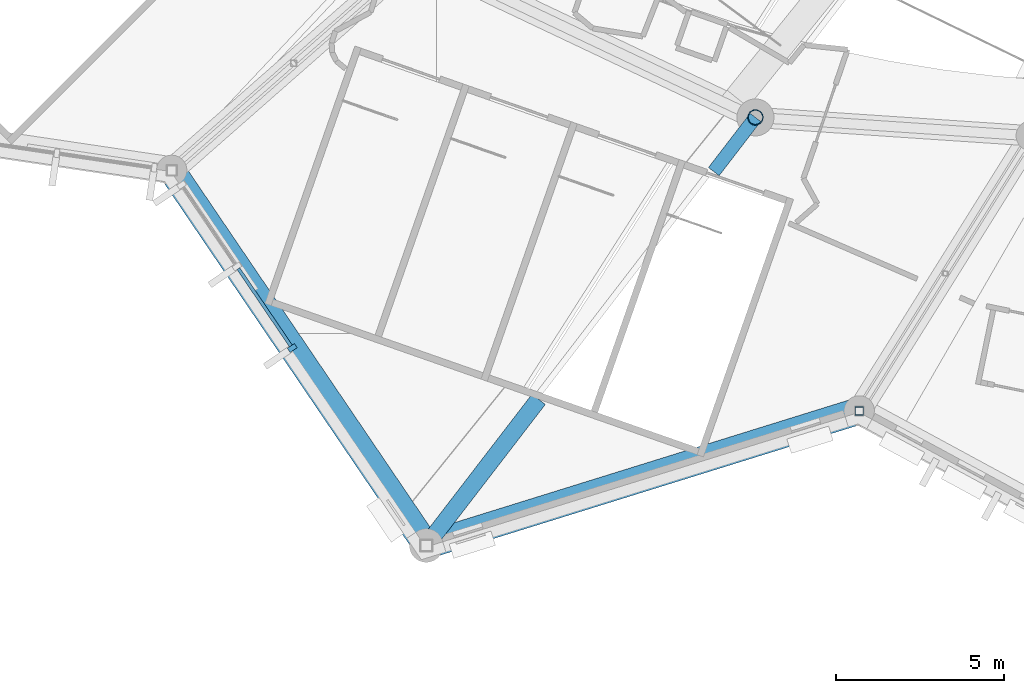
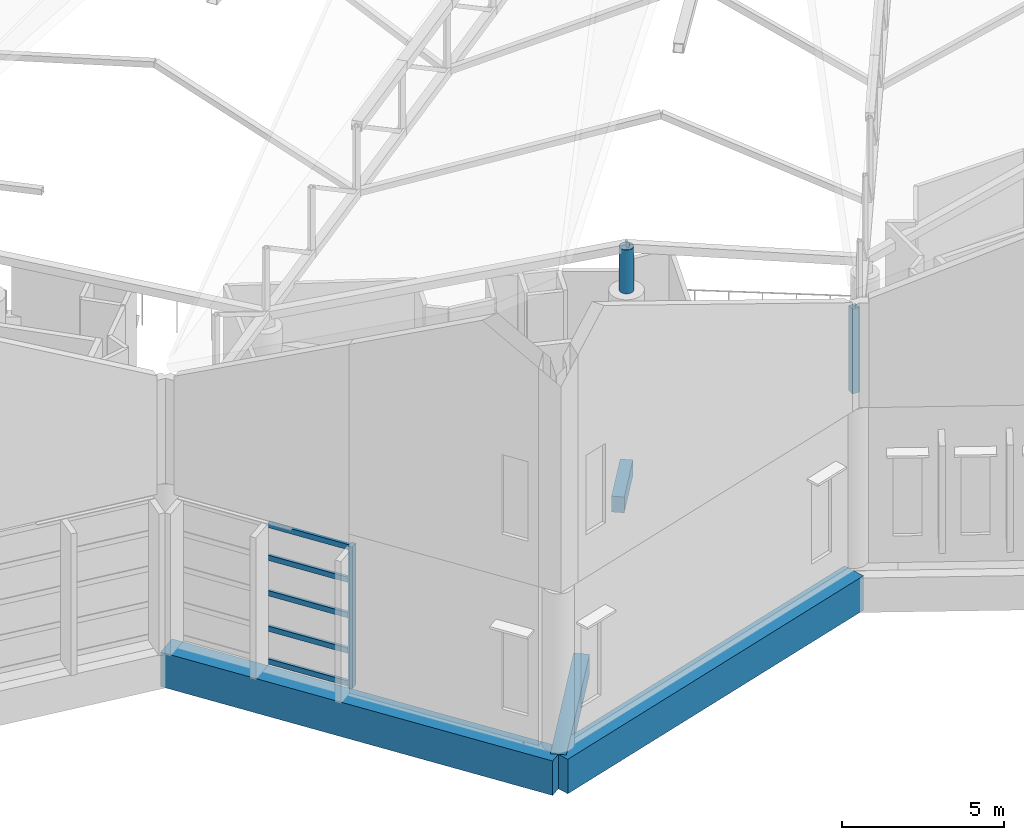
# One storey, part 4 of 344: 8 members, 4 beams, 1 element without a shape of its own.
"""IFC4 building model written with IfcOpenShell, lengths in metres."""

from ifc_helpers import new_model, si_unit, direction, frame, origin, origin_2d, place, context, subcontext, project, spatial, rectangle, hollow_rectangle, hollow_circle, extrude, material, layer, layer_set, material_profile, profile_set, type_object, element, aggregate, save


model = new_model("IFC4")

# Units and contexts
model_context = context("Model", 3, precision=1e-05, world=origin(), true_north=direction((0.0, 1.0)))
body_context = subcontext(model_context, "Body", "Model", "MODEL_VIEW")
ifc_project = project(units=[si_unit("LENGTHUNIT", "METRE"), si_unit("AREAUNIT", "SQUARE_METRE"), si_unit("VOLUMEUNIT", "CUBIC_METRE"), si_unit("PLANEANGLEUNIT", "RADIAN"), si_unit("MASSUNIT", "GRAM", prefix="KILO")], contexts=[model_context])

# Site, building, storey
site_placement = place(None, origin())
site = spatial("IfcSite", under=ifc_project, at=site_placement, CompositionType="ELEMENT")
building_placement = place(site_placement, origin())
building = spatial("IfcBuilding", under=site, at=building_placement, Name="Meseta Stadium", CompositionType="ELEMENT")
storey_placement = place(building_placement, frame((0.0, 0.0, 24.0)))
storey = spatial("IfcBuildingStorey", under=building, at=storey_placement, Name="L04", CompositionType="ELEMENT", Elevation=24.0)

# Member
ifc_material_1 = material(Name="Steel S355", Category="steel")
ifc_material_profile_1 = material_profile(ifc_material_1, hollow_circle(Radius=0.228515625, WallThickness=0.01611328125, at=origin_2d()), Name="CHS 457x16")
ifc_profile_set_1 = profile_set([ifc_material_profile_1], Name="Steel S355")
member_type_1 = type_object("IfcMemberType", Name="CHS 457x16 pedestal", PredefinedType="POST", material=ifc_profile_set_1)
member_1_placement = place(storey_placement, frame((-54.523193359375, -89.579345703125, 6.0), z_axis=(0.0, 0.0, 1.0), x_axis=(1.0, 0.0, 0.0)))
element("IfcMember", 1, at=member_1_placement, inside=storey, type_object=member_type_1, Name="ROOF TRUSS RT-42 pedestal", PredefinedType="POST", context=body_context, shape_type="SweptSolid", body=[
    extrude(hollow_circle(Radius=0.228515625, WallThickness=0.01611328125, at=origin_2d()), origin(), (0.0, 0.0, 1.0), 1.65380859375),
])

# Curtain wall, members
ifc_material_2 = material(Name="Steel S355", Category="steel")
ifc_layer = layer(ifc_material_2, 0.300048828125)
ifc_layer_set = layer_set([ifc_layer], Name="Valley atrium curtain wall")
curtain_wall_type = type_object("IfcCurtainWallType", Name="Valley atrium curtain wall", PredefinedType="NOTDEFINED", material=ifc_layer_set)
curtain_wall_placement = place(storey_placement, origin())
curtain_wall = element("IfcCurtainWall", 2, at=curtain_wall_placement, inside=storey, type_object=curtain_wall_type, Name="Valley atrium glazing F41", PredefinedType="NOTDEFINED")
ifc_material_3 = material(Name="Steel S355", Category="steel")
ifc_material_profile_2 = material_profile(ifc_material_3, rectangle(XDim=0.25, YDim=0.14990234375, at=origin_2d()), Name="CW 250x150")
ifc_profile_set_2 = profile_set([ifc_material_profile_2], Name="Steel S355")
member_type_2 = type_object("IfcMemberType", Name="CW mullion bar 250x150", PredefinedType="MULLION", material=ifc_profile_set_2)
member_2_placement = place(storey_placement, frame((-68.27734375, -96.42578125, 0.0), z_axis=(0.0, 0.0, 1.0), x_axis=(0.827483291834, 0.561490339842, 0.0)))
member_2 = element("IfcMember", 3, at=member_2_placement, type_object=member_type_2, Name="CWA mullion 3", PredefinedType="MULLION", context=body_context, shape_type="SweptSolid", body=[
    extrude(rectangle(XDim=0.25, YDim=0.14990234375, at=origin_2d()), origin(), (0.0, 0.0, 1.0), 5.35009765625),
])
ifc_material_4 = material(Name="Steel S355", Category="steel")
ifc_material_profile_3 = material_profile(ifc_material_4, hollow_rectangle(XDim=0.10009765625, YDim=0.199951171875, WallThickness=0.008056640625, at=origin_2d()), Name="RHS 200x100x8")
ifc_profile_set_3 = profile_set([ifc_material_profile_3], Name="Steel S355")
member_type_3 = type_object("IfcMemberType", Name="CW transom RHS 200x100x8", PredefinedType="USERDEFINED", material=ifc_profile_set_3)
member_3_placement = place(storey_placement, frame((-69.877685546875, -94.067626953125, 0.10009765625), z_axis=(0.561563808152, -0.827433435011, 0.0), x_axis=(0.827433435011, 0.561563808152, 0.0)))
member_3 = element("IfcMember", 4, at=member_3_placement, type_object=member_type_3, Name="CWA transom 2.1", ObjectType="TRANSOM", PredefinedType="USERDEFINED", context=body_context, shape_type="SweptSolid", body=[
    extrude(hollow_rectangle(XDim=0.10009765625, YDim=0.199951171875, WallThickness=0.008056640625, at=origin_2d()), origin(), (0.0, 0.0, 1.0), 2.77490234375),
])
member_4_placement = place(storey_placement, frame((-69.877685546875, -94.067626953125, 1.33740234375), z_axis=(0.561563808152, -0.827433435011, 0.0), x_axis=(0.827433435011, 0.561563808152, 0.0)))
member_4 = element("IfcMember", 5, at=member_4_placement, type_object=member_type_3, Name="CWA transom 2.2", ObjectType="TRANSOM", PredefinedType="USERDEFINED", context=body_context, shape_type="SweptSolid", body=[
    extrude(hollow_rectangle(XDim=0.10009765625, YDim=0.199951171875, WallThickness=0.008056640625, at=origin_2d()), origin(), (0.0, 0.0, 1.0), 2.77490234375),
])
member_5_placement = place(storey_placement, frame((-69.877685546875, -94.067626953125, 2.675048828125), z_axis=(0.561563808152, -0.827433435011, 0.0), x_axis=(0.827433435011, 0.561563808152, 0.0)))
member_5 = element("IfcMember", 6, at=member_5_placement, type_object=member_type_3, Name="CWA transom 2.3", ObjectType="TRANSOM", PredefinedType="USERDEFINED", context=body_context, shape_type="SweptSolid", body=[
    extrude(hollow_rectangle(XDim=0.10009765625, YDim=0.199951171875, WallThickness=0.008056640625, at=origin_2d()), origin(), (0.0, 0.0, 1.0), 2.77490234375),
])
member_6_placement = place(storey_placement, frame((-69.877685546875, -94.067626953125, 4.012451171875), z_axis=(0.561563808152, -0.827433435011, 0.0), x_axis=(0.827433435011, 0.561563808152, 0.0)))
member_6 = element("IfcMember", 7, at=member_6_placement, type_object=member_type_3, Name="CWA transom 2.4", ObjectType="TRANSOM", PredefinedType="USERDEFINED", context=body_context, shape_type="SweptSolid", body=[
    extrude(hollow_rectangle(XDim=0.10009765625, YDim=0.199951171875, WallThickness=0.008056640625, at=origin_2d()), origin(), (0.0, 0.0, 1.0), 2.77490234375),
])
member_7_placement = place(storey_placement, frame((-69.877685546875, -94.067626953125, 5.25), z_axis=(0.561563808152, -0.827433435011, 0.0), x_axis=(0.827433435011, 0.561563808152, 0.0)))
member_7 = element("IfcMember", 8, at=member_7_placement, type_object=member_type_3, Name="CWA transom 2.5", ObjectType="TRANSOM", PredefinedType="USERDEFINED", context=body_context, shape_type="SweptSolid", body=[
    extrude(hollow_rectangle(XDim=0.10009765625, YDim=0.199951171875, WallThickness=0.008056640625, at=origin_2d()), origin(), (0.0, 0.0, 1.0), 2.77490234375),
])
aggregate(curtain_wall, [member_2, member_3, member_4, member_5, member_6, member_7])

# Beams
ifc_material_5 = material(Name="Concrete C40/50", Category="concrete")
ifc_material_profile_4 = material_profile(ifc_material_5, rectangle(XDim=0.39990234375, YDim=0.60009765625, at=origin_2d()), Name="RC 400x600")
ifc_profile_set_4 = profile_set([ifc_material_profile_4], Name="Concrete C40/50")
beam_type_1 = type_object("IfcBeamType", Name="RC beam 400x600", PredefinedType="BEAM", material=ifc_profile_set_4)
beam_1_placement = place(storey_placement, frame((-54.523193359375, -89.579345703125, -0.699951171875), z_axis=(-0.60958282029, -0.792722388486, 0.0), x_axis=(0.792722388486, -0.60958282029, 0.0)))
element("IfcBeam", 9, at=beam_1_placement, inside=storey, type_object=beam_type_1, Name="L04 radial beam frame 42 line P to R", PredefinedType="BEAM", context=body_context, shape_type="SweptSolid", body=[
    extrude(rectangle(XDim=0.39990234375, YDim=0.60009765625, at=origin_2d()), origin(), (0.0, 0.0, 1.0), 2.029052734375),
])
ifc_material_6 = material(Name="Concrete C40/50", Category="concrete")
ifc_material_profile_5 = material_profile(ifc_material_6, rectangle(XDim=0.5, YDim=0.75, at=origin_2d()), Name="RC 500x750")
ifc_profile_set_5 = profile_set([ifc_material_profile_5], Name="Concrete C40/50")
beam_type_2 = type_object("IfcBeamType", Name="RC beam 500x750", PredefinedType="BEAM", material=ifc_profile_set_5)
beam_2_placement = place(storey_placement, frame((-60.95947265625, -97.949951171875, -0.77490234375), z_axis=(-0.609579324643, -0.792725076536, 0.0), x_axis=(0.792725076536, -0.609579324643, 0.0)))
element("IfcBeam", 10, at=beam_2_placement, inside=storey, type_object=beam_type_2, Name="L04 radial beam frame 42 line P to R", PredefinedType="BEAM", context=body_context, shape_type="SweptSolid", body=[
    extrude(rectangle(XDim=0.5, YDim=0.75, at=origin_2d()), origin(), (0.0, 0.0, 1.0), 5.47607421875),
])
ifc_material_7 = material(Name="Concrete C40/50", Category="concrete")
ifc_material_profile_6 = material_profile(ifc_material_7, rectangle(XDim=0.800048828125, YDim=1.300048828125, at=origin_2d()), Name="RC 800x1300")
ifc_profile_set_6 = profile_set([ifc_material_profile_6], Name="Concrete C40/50")
beam_type_3 = type_object("IfcBeamType", Name="RC beam 800x1300", PredefinedType="BEAM", material=ifc_profile_set_6)
beam_3_placement = place(storey_placement, frame((-71.856689453125, -91.15087890625, -1.050048828125), z_axis=(0.561486340317, -0.827486005705, 0.0), x_axis=(0.827486005705, 0.561486340317, 0.0)))
element("IfcBeam", 11, at=beam_3_placement, inside=storey, type_object=beam_type_3, Name="L04 ring beam frame 41 line R", PredefinedType="BEAM", context=body_context, shape_type="SweptSolid", body=[
    extrude(rectangle(XDim=0.800048828125, YDim=1.300048828125, at=origin_2d()), origin(), (0.0, 0.0, 1.0), 13.462646484375),
])
beam_4_placement = place(storey_placement, frame((-64.297607421875, -102.291015625, -1.050048828125), z_axis=(0.954922594045, 0.296854913016, 0.0), x_axis=(-0.296854913016, 0.954922594045, 0.0)))
element("IfcBeam", 12, at=beam_4_placement, inside=storey, type_object=beam_type_3, Name="L04 ring beam frame 42 line R", PredefinedType="BEAM", context=body_context, shape_type="SweptSolid", body=[
    extrude(rectangle(XDim=0.800048828125, YDim=1.300048828125, at=origin_2d()), origin(), (0.0, 0.0, 1.0), 13.463134765625),
])

# Member
ifc_material_8 = material(Name="Steel S355", Category="steel")
ifc_material_profile_7 = material_profile(ifc_material_8, hollow_rectangle(XDim=0.25, YDim=0.25, WallThickness=0.010009765625, at=origin_2d()), Name="SHS 250x250x10")
ifc_profile_set_7 = profile_set([ifc_material_profile_7], Name="Steel S355")
member_type_4 = type_object("IfcMemberType", Name="SHS 250x250x10 rim post", PredefinedType="POST", material=ifc_profile_set_7)
member_8_placement = place(storey_placement, frame((-51.44140625, -98.29443359375, 6.377685546875), z_axis=(0.0, 0.0, 1.0), x_axis=(1.0, 0.0, 0.0)))
element("IfcMember", 13, at=member_8_placement, inside=storey, type_object=member_type_4, Name="ROOF TRUSS RT-43 post", PredefinedType="POST", context=body_context, shape_type="SweptSolid", body=[
    extrude(hollow_rectangle(XDim=0.25, YDim=0.25, WallThickness=0.010009765625, at=origin_2d()), origin(), (0.0, 0.0, 1.0), 3.199951171875),
])

save(model, "model.ifc")
